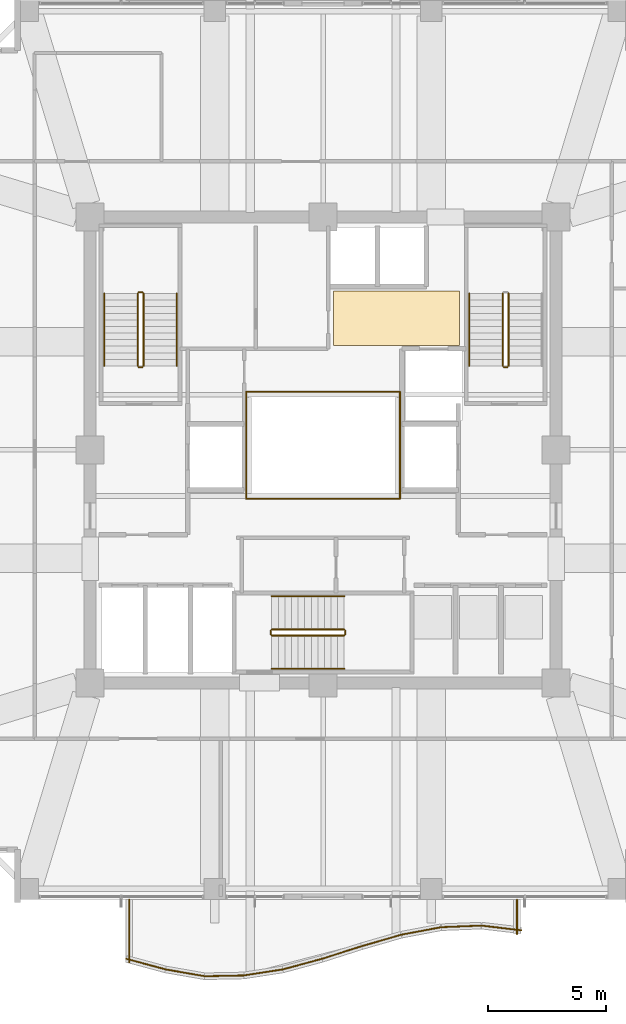
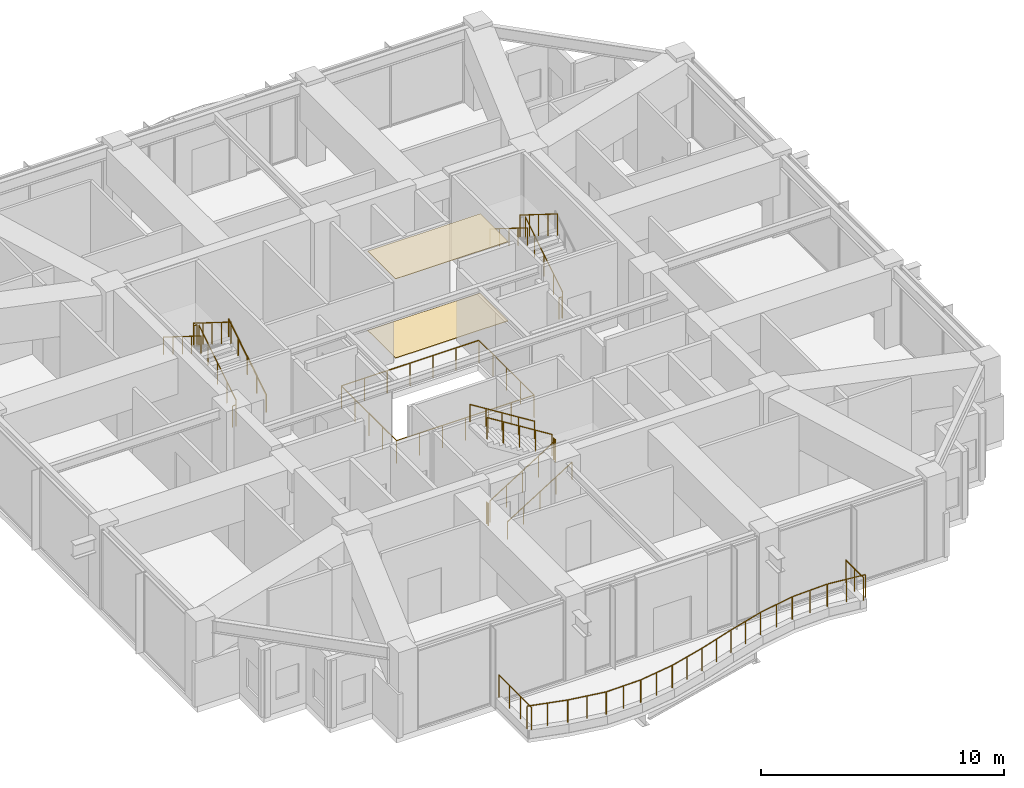
# One storey, part 31 of 33: 32 railings, 2 coverings.
"""IFC4 building model written with IfcOpenShell, lengths in metres."""

import ifcopenshell
import ifcopenshell.guid

model = None  # the IFC model being written
_history = None  # IfcOwnerHistory: only IFC2X3 demands one
_inside = {}  # id of a spatial element -> (the spatial element, [elements in it])
_under = {}  # id of a project, library or spatial element -> (it, [spatial elements below it])
_declared = {}  # id of a project -> (the project, [libraries it declares])
_typed = {}  # id of a type object -> (the type object, [elements of that type])
_made_of = {}  # id of a material, layer set ... -> (it, [elements and type objects made of it])


def new_model(schema):
    """Start an empty IFC model of exactly this schema.

    Asked for "IFC4X3", IfcOpenShell would pick the latest addendum, in which some entities
    have other attributes; the version numbers below select the first issue.
    IFC2X3 requires an IfcOwnerHistory on every rooted entity: one is made here for all.
    """
    global model, _history
    if schema == "IFC4X3":
        model = ifcopenshell.file(schema_version=(4, 3, 0, 0))
    else:
        model = ifcopenshell.file(schema=schema)
    _inside.clear()
    _under.clear()
    _declared.clear()
    _typed.clear()
    _made_of.clear()
    _history = None
    if model.schema == "IFC2X3":
        org = make("IfcOrganization", Name="unknown")
        user = make(
            "IfcPersonAndOrganization",
            ThePerson=make("IfcPerson", FamilyName="unknown"),
            TheOrganization=org,
        )
        app = make(
            "IfcApplication",
            ApplicationDeveloper=org,
            Version="unknown",
            ApplicationFullName="unknown",
            ApplicationIdentifier="unknown",
        )
        _history = make(
            "IfcOwnerHistory",
            OwningUser=user,
            OwningApplication=app,
            ChangeAction="ADDED",
            CreationDate=0,
        )
    return model


def make(cls, **values):
    """One entity of the class cls with the attributes given. An attribute that is None is left unset."""
    return model.create_entity(
        cls, **{name: value for name, value in values.items() if value is not None}
    )


def rooted(cls, **values):
    """An entity with a GlobalId (a new one), such as an element, a storey or a relation."""
    return make(cls, GlobalId=ifcopenshell.guid.new(), OwnerHistory=_history, **values)


def si_unit(unit_type, name, prefix=None):
    """IfcSIUnit, for example si_unit("LENGTHUNIT", "METRE", prefix="MILLI")."""
    return make("IfcSIUnit", UnitType=unit_type, Prefix=prefix, Name=name)


def assignment(units):
    """IfcUnitAssignment: the units of a project."""
    return None if units is None else make("IfcUnitAssignment", Units=units)


def point(xyz):
    """IfcCartesianPoint."""
    return None if xyz is None else make("IfcCartesianPoint", Coordinates=xyz)


def direction(xyz):
    """IfcDirection."""
    return None if xyz is None else make("IfcDirection", DirectionRatios=xyz)


def frame(location, z_axis=None, x_axis=None):
    """IfcAxis2Placement3D, a coordinate frame: its origin and axes. An axis left out is left unset."""
    return make(
        "IfcAxis2Placement3D",
        Location=point(location),
        Axis=direction(z_axis),
        RefDirection=direction(x_axis),
    )


def frame_2d(location, x_axis=None):
    """IfcAxis2Placement2D, a coordinate frame in the plane: its origin and x axis."""
    return make(
        "IfcAxis2Placement2D", Location=point(location), RefDirection=direction(x_axis)
    )


def origin():
    """The frame at (0, 0, 0) with its axes left unset."""
    return frame((0.0, 0.0, 0.0))


def origin_2d():
    """The frame at (0, 0) in the plane with its x axis left unset."""
    return frame_2d((0.0, 0.0))


def place(relative_to, where):
    """IfcLocalPlacement: puts the frame where relative to a parent placement (None: the world)."""
    return make(
        "IfcLocalPlacement", PlacementRelTo=relative_to, RelativePlacement=where
    )


def context(
    kind, dimensions, precision=None, world=None, true_north=None, identifier=None
):
    """IfcGeometricRepresentationContext, for example the 3D "Model" context."""
    return make(
        "IfcGeometricRepresentationContext",
        ContextIdentifier=identifier,
        ContextType=kind,
        CoordinateSpaceDimension=dimensions,
        Precision=precision,
        WorldCoordinateSystem=world,
        TrueNorth=true_north,
    )


def subcontext(parent, identifier, kind, view, scale=None):
    """IfcGeometricRepresentationSubContext, for example "Body" below "Model"."""
    return make(
        "IfcGeometricRepresentationSubContext",
        ContextIdentifier=identifier,
        ContextType=kind,
        ParentContext=parent,
        TargetScale=scale,
        TargetView=view,
    )


def project(units=None, contexts=None):
    """IfcProject with its units and contexts."""
    return rooted(
        "IfcProject",
        Name="project",
        RepresentationContexts=contexts,
        UnitsInContext=assignment(units),
    )


def spatial(cls, under=None, at=None, **own):
    """A site, building, storey or space (cls), placed at a placement, below another one or the project."""
    s = rooted(cls, ObjectPlacement=at, **own)
    if under is not None:
        _under.setdefault(under.id(), (under, []))[1].append(s)
    return s


def polyline(points):
    """IfcPolyline through the points."""
    return make("IfcPolyline", Points=[point(p) for p in points])


def profile(cls, at=None, kind="AREA", **sizes):
    """A parametric profile (cls). Its sizes go by their IFC names, for example OverallWidth=200.0."""
    return make(cls, ProfileType=kind, Position=at, **sizes)


def circle(**sizes):
    """IfcCircleProfileDef."""
    return profile("IfcCircleProfileDef", **sizes)


def outline(outer, holes=None, kind="AREA"):
    """IfcArbitraryClosedProfileDef: a profile drawn as a closed curve; with holes, ...WithVoids."""
    if holes is None:
        return make("IfcArbitraryClosedProfileDef", ProfileType=kind, OuterCurve=outer)
    return make(
        "IfcArbitraryProfileDefWithVoids",
        ProfileType=kind,
        OuterCurve=outer,
        InnerCurves=holes,
    )


def extrude(swept, where, along, depth):
    """IfcExtrudedAreaSolid: the profile swept, set in the frame where, extruded along a direction by depth."""
    return make(
        "IfcExtrudedAreaSolid",
        SweptArea=swept,
        Position=where,
        ExtrudedDirection=direction(along),
        Depth=depth,
    )


def shape(context_of_items, identifier, shape_type, items):
    """IfcShapeRepresentation: the items that make up one representation, for example the "Body"."""
    return make(
        "IfcShapeRepresentation",
        ContextOfItems=context_of_items,
        RepresentationIdentifier=identifier,
        RepresentationType=shape_type,
        Items=items,
    )


def material(Name=None, Category=None):
    """IfcMaterial."""
    return make("IfcMaterial", Name=Name, Category=Category)


def layer(
    of_material, thickness, ventilated=None, Name=None, Category=None, Priority=None
):
    """IfcMaterialLayer: one layer of a wall or slab, of a material (None: an air gap)."""
    return make(
        "IfcMaterialLayer",
        Material=of_material,
        LayerThickness=thickness,
        IsVentilated=ventilated,
        Name=Name,
        Category=Category,
        Priority=Priority,
    )


def layer_set(layers, Name=None):
    """IfcMaterialLayerSet."""
    return make("IfcMaterialLayerSet", MaterialLayers=layers, LayerSetName=Name)


def made_of(thing, what):
    """Note that an element or type object is made of a material, layer set ...; save() writes the relation."""
    if what is not None:
        _made_of.setdefault(what.id(), (what, []))[1].append(thing)
    return thing


def type_object(cls, material=None, **own):
    """A type object (cls), such as IfcWallType, which elements share."""
    return made_of(rooted(cls, **own), material)


def element(
    cls,
    number,
    at=None,
    inside=None,
    cuts=None,
    type_object=None,
    material=None,
    context=None,
    identifier="Body",
    shape_type=None,
    held_by="IfcProductDefinitionShape",
    body=None,
    shapes=None,
    **own,
):
    """One element of the class cls, such as IfcWall. Its Tag is "e" and its number.

    at: its placement. inside: the storey or other place that contains it. cuts: it is an
    opening in that element (IfcRelVoidsElement). A single representation is given by context,
    identifier, shape_type and body (its items); several are given by shapes. held_by: the class
    of the entity that holds the representations. save() writes the other relations.
    """
    e = rooted(cls, Tag="e%d" % number, ObjectPlacement=at, **own)
    if body is not None:
        shapes = [shape(context, identifier, shape_type, body)]
    if shapes is not None:
        e.Representation = make(held_by, Representations=shapes)
    if inside is not None:
        _inside.setdefault(inside.id(), (inside, []))[1].append(e)
    if cuts is not None:
        rooted(
            "IfcRelVoidsElement", RelatingBuildingElement=cuts, RelatedOpeningElement=e
        )
    if type_object is not None:
        _typed.setdefault(type_object.id(), (type_object, []))[1].append(e)
    return made_of(e, material)


def aggregate(whole, parts):
    """IfcRelAggregates: a whole, such as a stair, and the parts it consists of."""
    return rooted("IfcRelAggregates", RelatingObject=whole, RelatedObjects=parts)


def save(model, path):
    """Write the relations noted so far, then the file.

    IfcRelAggregates (storeys below a building ...), IfcRelContainedInSpatialStructure (elements
    in a storey), IfcRelDefinesByType, IfcRelAssociatesMaterial and IfcRelDeclares: one each for
    every whole, place, type object, material and project.
    """
    for whole, parts in _under.values():
        aggregate(whole, parts)
    for where, things in _inside.values():
        rooted(
            "IfcRelContainedInSpatialStructure",
            RelatedElements=things,
            RelatingStructure=where,
        )
    for kind, things in _typed.values():
        rooted("IfcRelDefinesByType", RelatedObjects=things, RelatingType=kind)
    for what, things in _made_of.values():
        rooted("IfcRelAssociatesMaterial", RelatedObjects=things, RelatingMaterial=what)
    for by, libraries in _declared.values():
        rooted("IfcRelDeclares", RelatingContext=by, RelatedDefinitions=libraries)
    model.write(path)


model = new_model("IFC4")

# Units and contexts
model_context = context("Model", 3, precision=1e-05, world=origin(), true_north=direction((0.0, 1.0)))
body_context = subcontext(model_context, "Body", "Model", "MODEL_VIEW")
ifc_project = project(units=[si_unit("LENGTHUNIT", "METRE"), si_unit("AREAUNIT", "SQUARE_METRE"), si_unit("VOLUMEUNIT", "CUBIC_METRE"), si_unit("PLANEANGLEUNIT", "RADIAN"), si_unit("MASSUNIT", "GRAM", prefix="KILO")], contexts=[model_context])

# Site, building, storey
site_placement = place(None, origin())
site = spatial("IfcSite", under=ifc_project, at=site_placement, CompositionType="ELEMENT")
building_placement = place(site_placement, origin())
building = spatial("IfcBuilding", under=site, at=building_placement, Name="Kolvaren Belvedere", CompositionType="ELEMENT")
storey_placement = place(building_placement, frame((0.0, 0.0, 152.699951171875)))
storey = spatial("IfcBuildingStorey", under=building, at=storey_placement, Name="L44", CompositionType="ELEMENT", Elevation=152.699951171875)

# Coverings
ifc_material_1 = material(Name="Acoustic perforated gypsum board", Category="gypsum")
ifc_layer_1 = layer(ifc_material_1, 0.02490234375)
ifc_layer_set_1 = layer_set([ifc_layer_1], Name="Acoustic perforated gypsum board")
covering_type_1 = type_object("IfcCoveringType", Name="COV-CEIL-GYP", PredefinedType="CEILING", material=ifc_layer_set_1)
covering_1_placement = place(storey_placement, frame((0.0, 0.0, 3.97509765625)))
element("IfcCovering", 1, at=covering_1_placement, inside=storey, type_object=covering_type_1, Name="L44 Lift Lobby Acoustic Baffle Ceiling", PredefinedType="CEILING", context=body_context, shape_type="SweptSolid", body=[
    extrude(outline(polyline([(0.449951171875, 4.449951171875), (5.800048828125, 4.449951171875), (5.800048828125, 6.75), (0.449951171875, 6.75), (0.449951171875, 4.449951171875)])), origin(), (0.0, 0.0, 1.0), 0.02490234375),
])
ifc_material_2 = material(Name="Honed Cascade basalt stone", Category="masonry")
ifc_layer_2 = layer(ifc_material_2, 0.02490234375)
ifc_layer_set_2 = layer_set([ifc_layer_2], Name="Honed Cascade basalt stone")
covering_type_2 = type_object("IfcCoveringType", Name="COV-FLR-STONE", PredefinedType="FLOORING", material=ifc_layer_set_2)
covering_2_placement = place(storey_placement, origin())
element("IfcCovering", 2, at=covering_2_placement, inside=storey, type_object=covering_type_2, Name="L44 Lift Lobby Finish Flooring", PredefinedType="FLOORING", context=body_context, shape_type="SweptSolid", body=[
    extrude(outline(polyline([(0.449951171875, 4.449951171875), (5.800048828125, 4.449951171875), (5.800048828125, 6.75), (0.449951171875, 6.75), (0.449951171875, 4.449951171875)])), origin(), (0.0, 0.0, 1.0), 0.025146484375),
])

# Railings
ifc_material_3 = material(Name="Laminated glass & stainless-steel cap rail", Category="steel")
railing_type_1 = type_object("IfcRailingType", Name="RL-ATR-1150", PredefinedType="BALUSTRADE", material=ifc_material_3)
for number, where, name in (
    (3, (-3.27001953125, 2.469970703125, 0.0), "L44 Atrium North Glass Balustrade"),
    (4, (-3.27001953125, -2.070068359375, 0.0), "L44 Atrium South Glass Balustrade"),
):
    element("IfcRailing", number, at=place(storey_placement, frame(where)), inside=storey, type_object=railing_type_1, Name=name, PredefinedType="BALUSTRADE", context=body_context, shape_type="SweptSolid", body=[
        extrude(circle(Radius=0.02392578125, at=origin_2d()), frame((0.0, 0.0, 1.1259765625), z_axis=(1.0, 0.0, 0.0), x_axis=(0.0, 1.0, 0.0)), (0.0, 0.0, 1.0), 6.5400390625),
        extrude(circle(Radius=0.02099609375, at=origin_2d()), origin(), (0.0, 0.0, 1.0), 1.101806640625),
        extrude(circle(Radius=0.02099609375, at=origin_2d()), frame((1.090087890625, 0.0, 0.0)), (0.0, 0.0, 1.0), 1.101806640625),
        extrude(circle(Radius=0.02099609375, at=origin_2d()), frame((2.179931640625, 0.0, 0.0)), (0.0, 0.0, 1.0), 1.101806640625),
        extrude(circle(Radius=0.02099609375, at=origin_2d()), frame((3.27001953125, 0.0, 0.0)), (0.0, 0.0, 1.0), 1.101806640625),
        extrude(circle(Radius=0.02099609375, at=origin_2d()), frame((4.360107421875, 0.0, 0.0)), (0.0, 0.0, 1.0), 1.101806640625),
        extrude(circle(Radius=0.02099609375, at=origin_2d()), frame((5.449951171875, 0.0, 0.0)), (0.0, 0.0, 1.0), 1.101806640625),
        extrude(circle(Radius=0.02099609375, at=origin_2d()), frame((6.5400390625, 0.0, 0.0)), (0.0, 0.0, 1.0), 1.101806640625),
    ])
for number, where, name in (
    (5, (-3.27001953125, -2.070068359375, 0.0), "L44 Atrium West Glass Balustrade"),
    (6, (3.27001953125, -2.070068359375, 0.0), "L44 Atrium East Glass Balustrade"),
):
    element("IfcRailing", number, at=place(storey_placement, frame(where)), inside=storey, type_object=railing_type_1, Name=name, PredefinedType="BALUSTRADE", context=body_context, shape_type="SweptSolid", body=[
        extrude(circle(Radius=0.02392578125, at=origin_2d()), frame((0.0, 0.0, 1.1259765625), z_axis=(0.0, 1.0, 0.0), x_axis=(-1.0, 0.0, 0.0)), (0.0, 0.0, 1.0), 4.5400390625),
        extrude(circle(Radius=0.02099609375, at=origin_2d()), origin(), (0.0, 0.0, 1.0), 1.101806640625),
        extrude(circle(Radius=0.02099609375, at=origin_2d()), frame((0.0, 1.135009765625, 0.0)), (0.0, 0.0, 1.0), 1.101806640625),
        extrude(circle(Radius=0.02099609375, at=origin_2d()), frame((0.0, 2.27001953125, 0.0)), (0.0, 0.0, 1.0), 1.101806640625),
        extrude(circle(Radius=0.02099609375, at=origin_2d()), frame((0.0, 3.405029296875, 0.0)), (0.0, 0.0, 1.0), 1.101806640625),
        extrude(circle(Radius=0.02099609375, at=origin_2d()), frame((0.0, 4.5400390625, 0.0)), (0.0, 0.0, 1.0), 1.101806640625),
    ])
ifc_material_4 = material(Name="Anodised pale-metal aluminium & laminated glass guard", Category="aluminium")
railing_type_2 = type_object("IfcRailingType", Name="RL-GUARD-1150", PredefinedType="GUARDRAIL", material=ifc_material_4)
railing_1_placement = place(storey_placement, frame((-8.3583984375, -21.619140625, 0.300048828125)))
element("IfcRailing", 7, at=railing_1_placement, inside=storey, type_object=railing_type_2, Name="L44 Exterior Deck Safety Guard BAL-S-1", PredefinedType="GUARDRAIL", context=body_context, shape_type="SweptSolid", body=[
    extrude(circle(Radius=0.02392578125, at=origin_2d()), frame((0.0, 0.0, 1.1259765625), z_axis=(0.965434024814, -0.260647546949, 0.0), x_axis=(0.260647546949, 0.965434024814, 0.0)), (0.0, 0.0, 1.0), 1.740234375),
    extrude(circle(Radius=0.02099609375, at=origin_2d()), origin(), (0.0, 0.0, 1.0), 1.101806640625),
    extrude(circle(Radius=0.02099609375, at=origin_2d()), frame((0.840087890625, -0.226806640625, 0.0)), (0.0, 0.0, 1.0), 1.101806640625),
    extrude(circle(Radius=0.02099609375, at=origin_2d()), frame((1.68017578125, -0.45361328125, 0.0)), (0.0, 0.0, 1.0), 1.101806640625),
])
railing_2_placement = place(storey_placement, frame((-6.6923828125, -22.069580078125, 0.300048828125)))
element("IfcRailing", 8, at=railing_2_placement, inside=storey, type_object=railing_type_2, Name="L44 Exterior Deck Safety Guard BAL-S-2", PredefinedType="GUARDRAIL", context=body_context, shape_type="SweptSolid", body=[
    extrude(circle(Radius=0.02392578125, at=origin_2d()), frame((0.0, 0.0, 1.1259765625), z_axis=(0.985156010777, -0.171661394699, 0.0), x_axis=(0.171661394699, 0.985156010777, 0.0)), (0.0, 0.0, 1.0), 1.705322265625),
    extrude(circle(Radius=0.02099609375, at=origin_2d()), origin(), (0.0, 0.0, 1.0), 1.101806640625),
    extrude(circle(Radius=0.02099609375, at=origin_2d()), frame((0.83984375, -0.146484375, 0.0)), (0.0, 0.0, 1.0), 1.101806640625),
    extrude(circle(Radius=0.02099609375, at=origin_2d()), frame((1.679931640625, -0.292724609375, 0.0)), (0.0, 0.0, 1.0), 1.101806640625),
])
railing_3_placement = place(storey_placement, frame((-5.043212890625, -22.360107421875, 0.300048828125)))
element("IfcRailing", 9, at=railing_3_placement, inside=storey, type_object=railing_type_2, Name="L44 Exterior Deck Safety Guard BAL-S-3", PredefinedType="GUARDRAIL", context=body_context, shape_type="SweptSolid", body=[
    extrude(circle(Radius=0.02392578125, at=origin_2d()), frame((0.0, 0.0, 1.1259765625), z_axis=(0.999796031266, 0.020196431964, 0.0), x_axis=(-0.020196431964, 0.999796031266, 0.0)), (0.0, 0.0, 1.0), 1.68017578125),
    extrude(circle(Radius=0.02099609375, at=origin_2d()), origin(), (0.0, 0.0, 1.0), 1.101806640625),
    extrude(circle(Radius=0.02099609375, at=origin_2d()), frame((0.83984375, 0.01708984375, 0.0)), (0.0, 0.0, 1.0), 1.101806640625),
    extrude(circle(Radius=0.02099609375, at=origin_2d()), frame((1.679931640625, 0.033935546875, 0.0)), (0.0, 0.0, 1.0), 1.101806640625),
])
railing_4_placement = place(storey_placement, frame((-3.384521484375, -22.327880859375, 0.300048828125)))
element("IfcRailing", 10, at=railing_4_placement, inside=storey, type_object=railing_type_2, Name="L44 Exterior Deck Safety Guard BAL-S-4", PredefinedType="GUARDRAIL", context=body_context, shape_type="SweptSolid", body=[
    extrude(circle(Radius=0.02392578125, at=origin_2d()), frame((0.0, 0.0, 1.1259765625), z_axis=(0.988345118302, 0.152229849666, 0.0), x_axis=(-0.152229849666, 0.988345118302, 0.0)), (0.0, 0.0, 1.0), 1.699951171875),
    extrude(circle(Radius=0.02099609375, at=origin_2d()), origin(), (0.0, 0.0, 1.0), 1.101806640625),
    extrude(circle(Radius=0.02099609375, at=origin_2d()), frame((0.840087890625, 0.12939453125, 0.0)), (0.0, 0.0, 1.0), 1.101806640625),
    extrude(circle(Radius=0.02099609375, at=origin_2d()), frame((1.68017578125, 0.2587890625, 0.0)), (0.0, 0.0, 1.0), 1.101806640625),
])
railing_5_placement = place(storey_placement, frame((-1.7216796875, -22.07275390625, 0.300048828125)))
element("IfcRailing", 11, at=railing_5_placement, inside=storey, type_object=railing_type_2, Name="L44 Exterior Deck Safety Guard BAL-S-5", PredefinedType="GUARDRAIL", context=body_context, shape_type="SweptSolid", body=[
    extrude(circle(Radius=0.02392578125, at=origin_2d()), frame((0.0, 0.0, 1.1259765625), z_axis=(0.965424492388, 0.260682852326, 0.0), x_axis=(-0.260682852326, 0.965424492388, 0.0)), (0.0, 0.0, 1.0), 1.739990234375),
    extrude(circle(Radius=0.02099609375, at=origin_2d()), origin(), (0.0, 0.0, 1.0), 1.101806640625),
    extrude(circle(Radius=0.02099609375, at=origin_2d()), frame((0.83984375, 0.226806640625, 0.0)), (0.0, 0.0, 1.0), 1.101806640625),
    extrude(circle(Radius=0.02099609375, at=origin_2d()), frame((1.679931640625, 0.45361328125, 0.0)), (0.0, 0.0, 1.0), 1.101806640625),
])
railing_6_placement = place(storey_placement, frame((-0.048583984375, -21.621337890625, 0.300048828125)))
element("IfcRailing", 12, at=railing_6_placement, inside=storey, type_object=railing_type_2, Name="L44 Exterior Deck Safety Guard BAL-S-6", PredefinedType="GUARDRAIL", context=body_context, shape_type="SweptSolid", body=[
    extrude(circle(Radius=0.02392578125, at=origin_2d()), frame((0.0, 0.0, 1.1259765625), z_axis=(0.952661770826, 0.304032153573, 0.0), x_axis=(-0.304032153573, 0.952661770826, 0.0)), (0.0, 0.0, 1.0), 1.763427734375),
    extrude(circle(Radius=0.02099609375, at=origin_2d()), origin(), (0.0, 0.0, 1.0), 1.101806640625),
    extrude(circle(Radius=0.02099609375, at=origin_2d()), frame((0.83984375, 0.26806640625, 0.0)), (0.0, 0.0, 1.0), 1.101806640625),
    extrude(circle(Radius=0.02099609375, at=origin_2d()), frame((1.679931640625, 0.5361328125, 0.0)), (0.0, 0.0, 1.0), 1.101806640625),
])
railing_7_placement = place(storey_placement, frame((1.635498046875, -21.083984375, 0.300048828125)))
element("IfcRailing", 13, at=railing_7_placement, inside=storey, type_object=railing_type_2, Name="L44 Exterior Deck Safety Guard BAL-S-7", PredefinedType="GUARDRAIL", context=body_context, shape_type="SweptSolid", body=[
    extrude(circle(Radius=0.02392578125, at=origin_2d()), frame((0.0, 0.0, 1.1259765625), z_axis=(0.96059663827, 0.277946215201, 0.0), x_axis=(-0.277946215201, 0.96059663827, 0.0)), (0.0, 0.0, 1.0), 1.748779296875),
    extrude(circle(Radius=0.02099609375, at=origin_2d()), origin(), (0.0, 0.0, 1.0), 1.101806640625),
    extrude(circle(Radius=0.02099609375, at=origin_2d()), frame((0.83984375, 0.2431640625, 0.0)), (0.0, 0.0, 1.0), 1.101806640625),
    extrude(circle(Radius=0.02099609375, at=origin_2d()), frame((1.679931640625, 0.486083984375, 0.0)), (0.0, 0.0, 1.0), 1.101806640625),
])
railing_8_placement = place(storey_placement, frame((3.330322265625, -20.594482421875, 0.300048828125)))
element("IfcRailing", 14, at=railing_8_placement, inside=storey, type_object=railing_type_2, Name="L44 Exterior Deck Safety Guard BAL-S-8", PredefinedType="GUARDRAIL", context=body_context, shape_type="SweptSolid", body=[
    extrude(circle(Radius=0.02392578125, at=origin_2d()), frame((0.0, 0.0, 1.1259765625), z_axis=(0.982778293957, 0.184788595231, 0.0), x_axis=(-0.184788595231, 0.982778293957, 0.0)), (0.0, 0.0, 1.0), 1.709716796875),
    extrude(circle(Radius=0.02099609375, at=origin_2d()), origin(), (0.0, 0.0, 1.0), 1.101806640625),
    extrude(circle(Radius=0.02099609375, at=origin_2d()), frame((0.840087890625, 0.157958984375, 0.0)), (0.0, 0.0, 1.0), 1.101806640625),
    extrude(circle(Radius=0.02099609375, at=origin_2d()), frame((1.68017578125, 0.31591796875, 0.0)), (0.0, 0.0, 1.0), 1.101806640625),
])
railing_9_placement = place(storey_placement, frame((5.03369140625, -20.27587890625, 0.300048828125)))
element("IfcRailing", 15, at=railing_9_placement, inside=storey, type_object=railing_type_2, Name="L44 Exterior Deck Safety Guard BAL-S-9", PredefinedType="GUARDRAIL", context=body_context, shape_type="SweptSolid", body=[
    extrude(circle(Radius=0.02392578125, at=origin_2d()), frame((0.0, 0.0, 1.1259765625), z_axis=(0.999196545286, 0.040078222133, 0.0), x_axis=(-0.040078222133, 0.999196545286, 0.0)), (0.0, 0.0, 1.0), 1.681396484375),
    extrude(circle(Radius=0.02099609375, at=origin_2d()), origin(), (0.0, 0.0, 1.0), 1.101806640625),
    extrude(circle(Radius=0.02099609375, at=origin_2d()), frame((0.83984375, 0.03369140625, 0.0)), (0.0, 0.0, 1.0), 1.101806640625),
    extrude(circle(Radius=0.02099609375, at=origin_2d()), frame((1.679931640625, 0.0673828125, 0.0)), (0.0, 0.0, 1.0), 1.101806640625),
])
railing_10_placement = place(storey_placement, frame((6.73876953125, -20.209716796875, 0.300048828125)))
element("IfcRailing", 16, at=railing_10_placement, inside=storey, type_object=railing_type_2, Name="L44 Exterior Deck Safety Guard BAL-S-10", PredefinedType="GUARDRAIL", context=body_context, shape_type="SweptSolid", body=[
    extrude(circle(Radius=0.02392578125, at=origin_2d()), frame((0.0, 0.0, 1.1259765625), z_axis=(0.993142720498, -0.116908240605, 0.0), x_axis=(0.116908240605, 0.993142720498, 0.0)), (0.0, 0.0, 1.0), 1.691650390625),
    extrude(circle(Radius=0.02099609375, at=origin_2d()), origin(), (0.0, 0.0, 1.0), 1.101806640625),
    extrude(circle(Radius=0.02099609375, at=origin_2d()), frame((0.83984375, -0.098876953125, 0.0)), (0.0, 0.0, 1.0), 1.101806640625),
    extrude(circle(Radius=0.02099609375, at=origin_2d()), frame((1.679931640625, -0.19775390625, 0.0)), (0.0, 0.0, 1.0), 1.101806640625),
])
railing_11_placement = place(storey_placement, frame((8.239990234375, -20.56640625, 0.300048828125)))
element("IfcRailing", 17, at=railing_11_placement, inside=storey, type_object=railing_type_2, Name="L44 Exterior Deck Safety Guard BAL-S-11", PredefinedType="GUARDRAIL", context=body_context, shape_type="SweptSolid", body=[
    extrude(circle(Radius=0.02392578125, at=origin_2d()), frame((0.0, 0.0, 1.1259765625), z_axis=(0.0, 1.0, 0.0), x_axis=(-1.0, 0.0, 0.0)), (0.0, 0.0, 1.0), 1.46630859375),
    extrude(circle(Radius=0.02099609375, at=origin_2d()), origin(), (0.0, 0.0, 1.0), 1.101806640625),
    extrude(circle(Radius=0.02099609375, at=origin_2d()), frame((0.0, 0.733154296875, 0.0)), (0.0, 0.0, 1.0), 1.101806640625),
    extrude(circle(Radius=0.02099609375, at=origin_2d()), frame((0.0, 1.46630859375, 0.0)), (0.0, 0.0, 1.0), 1.101806640625),
])
railing_12_placement = place(storey_placement, frame((-8.239990234375, -19.10009765625, 0.300048828125)))
element("IfcRailing", 18, at=railing_12_placement, inside=storey, type_object=railing_type_2, Name="L44 Exterior Deck Safety Guard BAL-S-22", PredefinedType="GUARDRAIL", context=body_context, shape_type="SweptSolid", body=[
    extrude(circle(Radius=0.02392578125, at=origin_2d()), frame((0.0, 0.0, 1.1259765625), z_axis=(0.0, -1.0, 0.0), x_axis=(1.0, 0.0, 0.0)), (0.0, 0.0, 1.0), 2.673583984375),
    extrude(circle(Radius=0.02099609375, at=origin_2d()), origin(), (0.0, 0.0, 1.0), 1.101806640625),
    extrude(circle(Radius=0.02099609375, at=origin_2d()), frame((0.0, -0.89111328125, 0.0)), (0.0, 0.0, 1.0), 1.101806640625),
    extrude(circle(Radius=0.02099609375, at=origin_2d()), frame((0.0, -1.782470703125, 0.0)), (0.0, 0.0, 1.0), 1.101806640625),
    extrude(circle(Radius=0.02099609375, at=origin_2d()), frame((0.0, -2.673583984375, 0.0)), (0.0, 0.0, 1.0), 1.101806640625),
])
ifc_material_5 = material(Name="Brushed stainless-steel handrail", Category="steel")
railing_type_3 = type_object("IfcRailingType", Name="RL-HANDRAIL-920", PredefinedType="HANDRAIL", material=ifc_material_5)
railing_13_placement = place(storey_placement, frame((-6.2099609375, 3.570068359375, 0.175048828125)))
element("IfcRailing", 19, at=railing_13_placement, inside=storey, type_object=railing_type_3, Name="L44 ST-1 stair handrail 1", PredefinedType="HANDRAIL", context=body_context, shape_type="SweptSolid", body=[
    extrude(circle(Radius=0.02392578125, at=origin_2d()), frame((0.0, 0.0, 0.8759765625), z_axis=(0.0, 0.847979421464, 0.530029150871), x_axis=(-1.0, 0.0, 0.0)), (0.0, 0.0, 1.0), 3.632080078125),
    extrude(circle(Radius=0.02099609375, at=origin_2d()), origin(), (0.0, 0.0, 1.0), 0.851806640625),
    extrude(circle(Radius=0.02099609375, at=origin_2d()), frame((0.0, 0.77001953125, 0.481201171875)), (0.0, 0.0, 1.0), 0.851806640625),
    extrude(circle(Radius=0.02099609375, at=origin_2d()), frame((0.0, 1.5400390625, 0.96240234375)), (0.0, 0.0, 1.0), 0.851806640625),
    extrude(circle(Radius=0.02099609375, at=origin_2d()), frame((0.0, 2.309814453125, 1.44384765625)), (0.0, 0.0, 1.0), 0.851806640625),
    extrude(circle(Radius=0.02099609375, at=origin_2d()), frame((0.0, 3.079833984375, 1.925048828125)), (0.0, 0.0, 1.0), 0.851806640625),
])
for number, where, name in (
    (20, (-9.300048828125, 6.64990234375, 2.275146484375), "L44 ST-1 stair handrail 2"),
    (21, (6.2099609375, 6.64990234375, 2.275146484375), "L44 ST-2 stair handrail 2"),
):
    element("IfcRailing", number, at=place(storey_placement, frame(where)), inside=storey, type_object=railing_type_3, Name=name, PredefinedType="HANDRAIL", context=body_context, shape_type="SweptSolid", body=[
        extrude(circle(Radius=0.02392578125, at=origin_2d()), frame((0.0, 0.0, 0.8759765625), z_axis=(0.0, -0.848009633417, 0.529980812513), x_axis=(1.0, 0.0, 0.0)), (0.0, 0.0, 1.0), 3.6318359375),
        extrude(circle(Radius=0.02099609375, at=origin_2d()), origin(), (0.0, 0.0, 1.0), 0.851806640625),
        extrude(circle(Radius=0.02099609375, at=origin_2d()), frame((0.0, -0.77001953125, 0.481201171875)), (0.0, 0.0, 1.0), 0.851806640625),
        extrude(circle(Radius=0.02099609375, at=origin_2d()), frame((0.0, -1.5400390625, 0.96240234375)), (0.0, 0.0, 1.0), 0.851806640625),
        extrude(circle(Radius=0.02099609375, at=origin_2d()), frame((0.0, -2.309814453125, 1.443603515625)), (0.0, 0.0, 1.0), 0.851806640625),
        extrude(circle(Radius=0.02099609375, at=origin_2d()), frame((0.0, -3.079833984375, 1.9248046875)), (0.0, 0.0, 1.0), 0.851806640625),
    ])
railing_14_placement = place(storey_placement, frame((-2.179931640625, -9.300048828125, 0.175048828125)))
element("IfcRailing", 22, at=railing_14_placement, inside=storey, type_object=railing_type_3, Name="L44 ST-3 stair handrail 1", PredefinedType="HANDRAIL", context=body_context, shape_type="SweptSolid", body=[
    extrude(circle(Radius=0.02392578125, at=origin_2d()), frame((0.0, 0.0, 0.8759765625), z_axis=(0.847979421464, 0.0, 0.530029150871), x_axis=(0.0, 1.0, 0.0)), (0.0, 0.0, 1.0), 3.632080078125),
    extrude(circle(Radius=0.02099609375, at=origin_2d()), origin(), (0.0, 0.0, 1.0), 0.851806640625),
    extrude(circle(Radius=0.02099609375, at=origin_2d()), frame((0.77001953125, 0.0, 0.481201171875)), (0.0, 0.0, 1.0), 0.851806640625),
    extrude(circle(Radius=0.02099609375, at=origin_2d()), frame((1.5400390625, 0.0, 0.96240234375)), (0.0, 0.0, 1.0), 0.851806640625),
    extrude(circle(Radius=0.02099609375, at=origin_2d()), frame((2.309814453125, 0.0, 1.44384765625)), (0.0, 0.0, 1.0), 0.851806640625),
    extrude(circle(Radius=0.02099609375, at=origin_2d()), frame((3.079833984375, 0.0, 1.925048828125)), (0.0, 0.0, 1.0), 0.851806640625),
])
railing_15_placement = place(storey_placement, frame((0.89990234375, -6.2099609375, 2.275146484375)))
element("IfcRailing", 23, at=railing_15_placement, inside=storey, type_object=railing_type_3, Name="L44 ST-3 stair handrail 2", PredefinedType="HANDRAIL", context=body_context, shape_type="SweptSolid", body=[
    extrude(circle(Radius=0.02392578125, at=origin_2d()), frame((0.0, 0.0, 0.8759765625), z_axis=(-0.848009633417, 0.0, 0.529980812513), x_axis=(0.0, -1.0, 0.0)), (0.0, 0.0, 1.0), 3.6318359375),
    extrude(circle(Radius=0.02099609375, at=origin_2d()), origin(), (0.0, 0.0, 1.0), 0.851806640625),
    extrude(circle(Radius=0.02099609375, at=origin_2d()), frame((-0.77001953125, 0.0, 0.481201171875)), (0.0, 0.0, 1.0), 0.851806640625),
    extrude(circle(Radius=0.02099609375, at=origin_2d()), frame((-1.5400390625, 0.0, 0.96240234375)), (0.0, 0.0, 1.0), 0.851806640625),
    extrude(circle(Radius=0.02099609375, at=origin_2d()), frame((-2.309814453125, 0.0, 1.443603515625)), (0.0, 0.0, 1.0), 0.851806640625),
    extrude(circle(Radius=0.02099609375, at=origin_2d()), frame((-3.079833984375, 0.0, 1.9248046875)), (0.0, 0.0, 1.0), 0.851806640625),
])
ifc_material_6 = material(Name="Painted tubular steel stair guard", Category="steel")
railing_type_4 = type_object("IfcRailingType", Name="RL-STGUARD-1100", PredefinedType="GUARDRAIL", material=ifc_material_6)
railing_16_placement = place(storey_placement, frame((-7.6298828125, 3.570068359375, 0.175048828125)))
element("IfcRailing", 24, at=railing_16_placement, inside=storey, type_object=railing_type_4, Name="L44 ST-1 stair guard 1", PredefinedType="GUARDRAIL", context=body_context, shape_type="SweptSolid", body=[
    extrude(circle(Radius=0.02392578125, at=origin_2d()), frame((0.0, 0.0, 1.076171875), z_axis=(0.0, 0.847979421464, 0.530029150871), x_axis=(-1.0, 0.0, 0.0)), (0.0, 0.0, 1.0), 3.632080078125),
    extrude(circle(Radius=0.02099609375, at=origin_2d()), origin(), (0.0, 0.0, 1.0), 1.052001953125),
    extrude(circle(Radius=0.02099609375, at=origin_2d()), frame((0.0, 0.77001953125, 0.481201171875)), (0.0, 0.0, 1.0), 1.052001953125),
    extrude(circle(Radius=0.02099609375, at=origin_2d()), frame((0.0, 1.5400390625, 0.96240234375)), (0.0, 0.0, 1.0), 1.052001953125),
    extrude(circle(Radius=0.02099609375, at=origin_2d()), frame((0.0, 2.309814453125, 1.44384765625)), (0.0, 0.0, 1.0), 1.052001953125),
    extrude(circle(Radius=0.02099609375, at=origin_2d()), frame((0.0, 3.079833984375, 1.925048828125)), (0.0, 0.0, 1.0), 1.052001953125),
])
railing_17_placement = place(storey_placement, frame((-7.679931640625, 6.699951171875, 2.10009765625)))
element("IfcRailing", 25, at=railing_17_placement, inside=storey, type_object=railing_type_4, Name="L44 ST-1 stair guard 2", PredefinedType="GUARDRAIL", context=body_context, shape_type="SweptSolid", body=[
    extrude(circle(Radius=0.02392578125, at=origin_2d()), frame((0.0, 0.0, 1.076171875), z_axis=(-1.0, 0.0, 0.0), x_axis=(0.0, -1.0, 0.0)), (0.0, 0.0, 1.0), 0.150146484375),
    extrude(circle(Radius=0.02099609375, at=origin_2d()), origin(), (0.0, 0.0, 1.0), 1.052001953125),
    extrude(circle(Radius=0.02099609375, at=origin_2d()), frame((-0.150146484375, 0.0, 0.0)), (0.0, 0.0, 1.0), 1.052001953125),
])
railing_18_placement = place(storey_placement, frame((-7.8798828125, 6.64990234375, 2.275146484375)))
element("IfcRailing", 26, at=railing_18_placement, inside=storey, type_object=railing_type_4, Name="L44 ST-1 stair guard 3", PredefinedType="GUARDRAIL", context=body_context, shape_type="SweptSolid", body=[
    extrude(circle(Radius=0.02392578125, at=origin_2d()), frame((0.0, 0.0, 1.076171875), z_axis=(0.0, -0.848009633417, 0.529980812513), x_axis=(1.0, 0.0, 0.0)), (0.0, 0.0, 1.0), 3.6318359375),
    extrude(circle(Radius=0.02099609375, at=origin_2d()), origin(), (0.0, 0.0, 1.0), 1.052001953125),
    extrude(circle(Radius=0.02099609375, at=origin_2d()), frame((0.0, -0.77001953125, 0.481201171875)), (0.0, 0.0, 1.0), 1.052001953125),
    extrude(circle(Radius=0.02099609375, at=origin_2d()), frame((0.0, -1.5400390625, 0.96240234375)), (0.0, 0.0, 1.0), 1.052001953125),
    extrude(circle(Radius=0.02099609375, at=origin_2d()), frame((0.0, -2.309814453125, 1.443603515625)), (0.0, 0.0, 1.0), 1.052001953125),
    extrude(circle(Radius=0.02099609375, at=origin_2d()), frame((0.0, -3.079833984375, 1.9248046875)), (0.0, 0.0, 1.0), 1.052001953125),
])
railing_19_placement = place(storey_placement, frame((-7.679931640625, 3.52001953125, 0.0)))
element("IfcRailing", 27, at=railing_19_placement, inside=storey, type_object=railing_type_4, Name="L44 ST-1 stair guard 4", PredefinedType="GUARDRAIL", context=body_context, shape_type="SweptSolid", body=[
    extrude(circle(Radius=0.02392578125, at=origin_2d()), frame((0.0, 0.0, 1.076171875), z_axis=(-1.0, 0.0, 0.0), x_axis=(0.0, -1.0, 0.0)), (0.0, 0.0, 1.0), 0.150146484375),
    extrude(circle(Radius=0.02099609375, at=origin_2d()), origin(), (0.0, 0.0, 1.0), 1.052001953125),
    extrude(circle(Radius=0.02099609375, at=origin_2d()), frame((-0.150146484375, 0.0, 0.0)), (0.0, 0.0, 1.0), 1.052001953125),
])
railing_20_placement = place(storey_placement, frame((7.8798828125, 3.570068359375, 0.175048828125)))
element("IfcRailing", 28, at=railing_20_placement, inside=storey, type_object=railing_type_4, Name="L44 ST-2 stair guard 1", PredefinedType="GUARDRAIL", context=body_context, shape_type="SweptSolid", body=[
    extrude(circle(Radius=0.02392578125, at=origin_2d()), frame((0.0, 0.0, 1.076171875), z_axis=(0.0, 0.847979421464, 0.530029150871), x_axis=(-1.0, 0.0, 0.0)), (0.0, 0.0, 1.0), 3.632080078125),
    extrude(circle(Radius=0.02099609375, at=origin_2d()), origin(), (0.0, 0.0, 1.0), 1.052001953125),
    extrude(circle(Radius=0.02099609375, at=origin_2d()), frame((0.0, 0.77001953125, 0.481201171875)), (0.0, 0.0, 1.0), 1.052001953125),
    extrude(circle(Radius=0.02099609375, at=origin_2d()), frame((0.0, 1.5400390625, 0.96240234375)), (0.0, 0.0, 1.0), 1.052001953125),
    extrude(circle(Radius=0.02099609375, at=origin_2d()), frame((0.0, 2.309814453125, 1.44384765625)), (0.0, 0.0, 1.0), 1.052001953125),
    extrude(circle(Radius=0.02099609375, at=origin_2d()), frame((0.0, 3.079833984375, 1.925048828125)), (0.0, 0.0, 1.0), 1.052001953125),
])
railing_21_placement = place(storey_placement, frame((7.6298828125, 6.64990234375, 2.275146484375)))
element("IfcRailing", 29, at=railing_21_placement, inside=storey, type_object=railing_type_4, Name="L44 ST-2 stair guard 3", PredefinedType="GUARDRAIL", context=body_context, shape_type="SweptSolid", body=[
    extrude(circle(Radius=0.02392578125, at=origin_2d()), frame((0.0, 0.0, 1.076171875), z_axis=(0.0, -0.848009633417, 0.529980812513), x_axis=(1.0, 0.0, 0.0)), (0.0, 0.0, 1.0), 3.6318359375),
    extrude(circle(Radius=0.02099609375, at=origin_2d()), origin(), (0.0, 0.0, 1.0), 1.052001953125),
    extrude(circle(Radius=0.02099609375, at=origin_2d()), frame((0.0, -0.77001953125, 0.481201171875)), (0.0, 0.0, 1.0), 1.052001953125),
    extrude(circle(Radius=0.02099609375, at=origin_2d()), frame((0.0, -1.5400390625, 0.96240234375)), (0.0, 0.0, 1.0), 1.052001953125),
    extrude(circle(Radius=0.02099609375, at=origin_2d()), frame((0.0, -2.309814453125, 1.443603515625)), (0.0, 0.0, 1.0), 1.052001953125),
    extrude(circle(Radius=0.02099609375, at=origin_2d()), frame((0.0, -3.079833984375, 1.9248046875)), (0.0, 0.0, 1.0), 1.052001953125),
])
railing_22_placement = place(storey_placement, frame((7.830078125, 3.52001953125, 0.0)))
element("IfcRailing", 30, at=railing_22_placement, inside=storey, type_object=railing_type_4, Name="L44 ST-2 stair guard 4", PredefinedType="GUARDRAIL", context=body_context, shape_type="SweptSolid", body=[
    extrude(circle(Radius=0.02392578125, at=origin_2d()), frame((0.0, 0.0, 1.076171875), z_axis=(-1.0, 0.0, 0.0), x_axis=(0.0, -1.0, 0.0)), (0.0, 0.0, 1.0), 0.150146484375),
    extrude(circle(Radius=0.02099609375, at=origin_2d()), origin(), (0.0, 0.0, 1.0), 1.052001953125),
    extrude(circle(Radius=0.02099609375, at=origin_2d()), frame((-0.150146484375, 0.0, 0.0)), (0.0, 0.0, 1.0), 1.052001953125),
])
railing_23_placement = place(storey_placement, frame((-2.179931640625, -7.8798828125, 0.175048828125)))
element("IfcRailing", 31, at=railing_23_placement, inside=storey, type_object=railing_type_4, Name="L44 ST-3 stair guard 1", PredefinedType="GUARDRAIL", context=body_context, shape_type="SweptSolid", body=[
    extrude(circle(Radius=0.02392578125, at=origin_2d()), frame((0.0, 0.0, 1.076171875), z_axis=(0.847979421464, 0.0, 0.530029150871), x_axis=(0.0, 1.0, 0.0)), (0.0, 0.0, 1.0), 3.632080078125),
    extrude(circle(Radius=0.02099609375, at=origin_2d()), origin(), (0.0, 0.0, 1.0), 1.052001953125),
    extrude(circle(Radius=0.02099609375, at=origin_2d()), frame((0.77001953125, 0.0, 0.481201171875)), (0.0, 0.0, 1.0), 1.052001953125),
    extrude(circle(Radius=0.02099609375, at=origin_2d()), frame((1.5400390625, 0.0, 0.96240234375)), (0.0, 0.0, 1.0), 1.052001953125),
    extrude(circle(Radius=0.02099609375, at=origin_2d()), frame((2.309814453125, 0.0, 1.44384765625)), (0.0, 0.0, 1.0), 1.052001953125),
    extrude(circle(Radius=0.02099609375, at=origin_2d()), frame((3.079833984375, 0.0, 1.925048828125)), (0.0, 0.0, 1.0), 1.052001953125),
])
railing_24_placement = place(storey_placement, frame((0.949951171875, -7.830078125, 2.10009765625)))
element("IfcRailing", 32, at=railing_24_placement, inside=storey, type_object=railing_type_4, Name="L44 ST-3 stair guard 2", PredefinedType="GUARDRAIL", context=body_context, shape_type="SweptSolid", body=[
    extrude(circle(Radius=0.02392578125, at=origin_2d()), frame((0.0, 0.0, 1.076171875), z_axis=(0.0, 1.0, 0.0), x_axis=(-1.0, 0.0, 0.0)), (0.0, 0.0, 1.0), 0.150146484375),
    extrude(circle(Radius=0.02099609375, at=origin_2d()), origin(), (0.0, 0.0, 1.0), 1.052001953125),
    extrude(circle(Radius=0.02099609375, at=origin_2d()), frame((0.0, 0.150146484375, 0.0)), (0.0, 0.0, 1.0), 1.052001953125),
])
railing_25_placement = place(storey_placement, frame((0.89990234375, -7.6298828125, 2.275146484375)))
element("IfcRailing", 33, at=railing_25_placement, inside=storey, type_object=railing_type_4, Name="L44 ST-3 stair guard 3", PredefinedType="GUARDRAIL", context=body_context, shape_type="SweptSolid", body=[
    extrude(circle(Radius=0.02392578125, at=origin_2d()), frame((0.0, 0.0, 1.076171875), z_axis=(-0.848009633417, 0.0, 0.529980812513), x_axis=(0.0, -1.0, 0.0)), (0.0, 0.0, 1.0), 3.6318359375),
    extrude(circle(Radius=0.02099609375, at=origin_2d()), origin(), (0.0, 0.0, 1.0), 1.052001953125),
    extrude(circle(Radius=0.02099609375, at=origin_2d()), frame((-0.77001953125, 0.0, 0.481201171875)), (0.0, 0.0, 1.0), 1.052001953125),
    extrude(circle(Radius=0.02099609375, at=origin_2d()), frame((-1.5400390625, 0.0, 0.96240234375)), (0.0, 0.0, 1.0), 1.052001953125),
    extrude(circle(Radius=0.02099609375, at=origin_2d()), frame((-2.309814453125, 0.0, 1.443603515625)), (0.0, 0.0, 1.0), 1.052001953125),
    extrude(circle(Radius=0.02099609375, at=origin_2d()), frame((-3.079833984375, 0.0, 1.9248046875)), (0.0, 0.0, 1.0), 1.052001953125),
])
railing_26_placement = place(storey_placement, frame((-2.22998046875, -7.830078125, 0.0)))
element("IfcRailing", 34, at=railing_26_placement, inside=storey, type_object=railing_type_4, Name="L44 ST-3 stair guard 4", PredefinedType="GUARDRAIL", context=body_context, shape_type="SweptSolid", body=[
    extrude(circle(Radius=0.02392578125, at=origin_2d()), frame((0.0, 0.0, 1.076171875), z_axis=(0.0, 1.0, 0.0), x_axis=(-1.0, 0.0, 0.0)), (0.0, 0.0, 1.0), 0.150146484375),
    extrude(circle(Radius=0.02099609375, at=origin_2d()), origin(), (0.0, 0.0, 1.0), 1.052001953125),
    extrude(circle(Radius=0.02099609375, at=origin_2d()), frame((0.0, 0.150146484375, 0.0)), (0.0, 0.0, 1.0), 1.052001953125),
])

save(model, "model.ifc")
